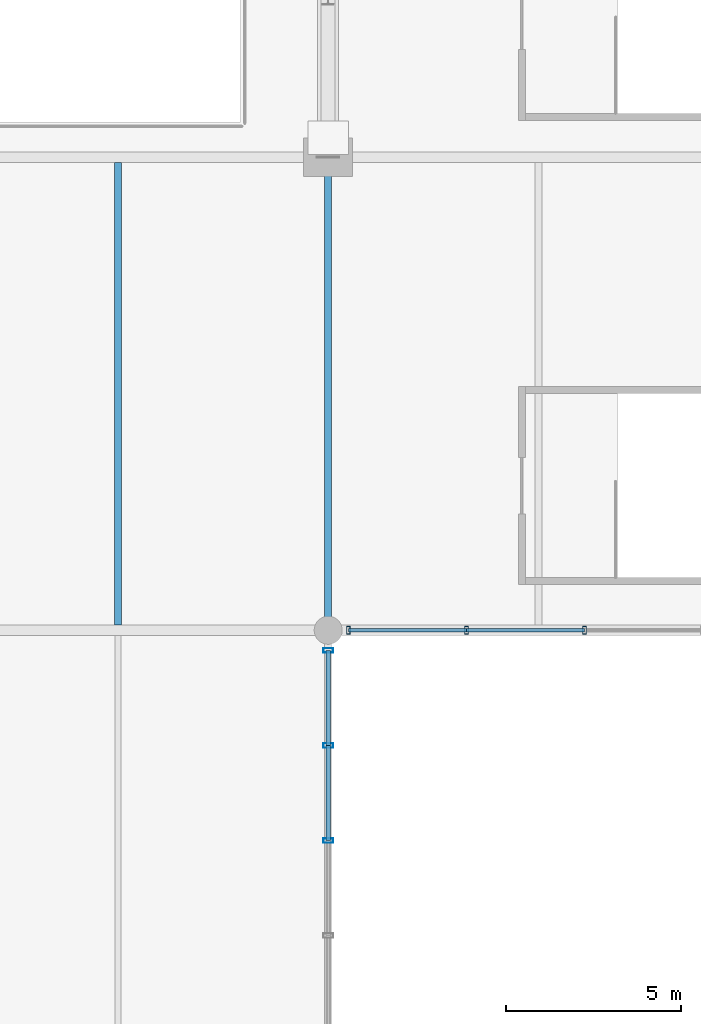
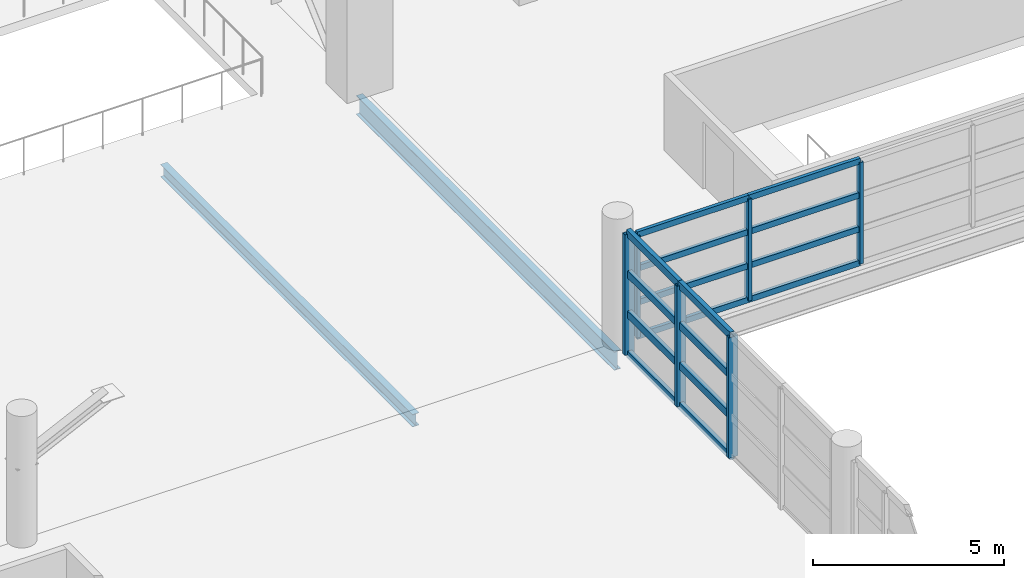
# One storey, part 21 of 136: 22 members, 2 beams, 2 elements without a shape of their own.
"""IFC4 building model written with IfcOpenShell, lengths in metres."""

from ifc_helpers import new_model, si_unit, direction, frame, origin, origin_2d, place, context, subcontext, project, spatial, hollow_rectangle, i_section, extrude, material, material_profile, profile_set, type_object, element, aggregate, save


model = new_model("IFC4")

# Units and contexts
model_context = context("Model", 3, precision=1e-05, world=origin(), true_north=direction((0.0, 1.0)))
body_context = subcontext(model_context, "Body", "Model", "MODEL_VIEW")
ifc_project = project(units=[si_unit("LENGTHUNIT", "METRE"), si_unit("AREAUNIT", "SQUARE_METRE"), si_unit("VOLUMEUNIT", "CUBIC_METRE"), si_unit("PLANEANGLEUNIT", "RADIAN"), si_unit("MASSUNIT", "GRAM", prefix="KILO")], contexts=[model_context])

# Site, building, storey
site_placement = place(None, origin())
site = spatial("IfcSite", under=ifc_project, at=site_placement, CompositionType="ELEMENT")
building_placement = place(site_placement, origin())
building = spatial("IfcBuilding", under=site, at=building_placement, Name="Chuanluo Vaults Station", CompositionType="ELEMENT")
storey_placement = place(building_placement, frame((0.0, 0.0, 6.60009765625)))
storey = spatial("IfcBuildingStorey", under=building, at=storey_placement, Name="L01", CompositionType="ELEMENT", Elevation=6.60009765625)

# Beams
ifc_material_1 = material(Name="Steel Q355C", Category="steel")
ifc_material_profile_1 = material_profile(ifc_material_1, i_section(OverallWidth=0.199951171875, OverallDepth=0.60009765625, WebThickness=0.010986328125, FlangeThickness=0.01708984375, FilletRadius=0.01806640625, at=origin_2d()))
ifc_profile_set_1 = profile_set([ifc_material_profile_1], Name="Steel Q355C")
beam_type_1 = type_object("IfcBeamType", Name="BM-GRD-600", PredefinedType="USERDEFINED", material=ifc_profile_set_1)
beam_1_placement = place(storey_placement, frame((90.0, 54.0, -0.580078125), z_axis=(0.0, 1.0, 0.0), x_axis=(-1.0, 0.0, 0.0)))
element("IfcBeam", 1, at=beam_1_placement, inside=storey, type_object=beam_type_1, Name="Floor girder BM:GY:L01:0444", ObjectType="GIRDER", PredefinedType="USERDEFINED", context=body_context, shape_type="SweptSolid", body=[
    extrude(i_section(OverallWidth=0.199951171875, OverallDepth=0.60009765625, WebThickness=0.010986328125, FlangeThickness=0.01708984375, FilletRadius=0.01806640625, at=origin_2d()), origin(), (0.0, 0.0, 1.0), 13.5),
])
ifc_material_2 = material(Name="Steel Q355C", Category="steel")
ifc_material_profile_2 = material_profile(ifc_material_2, i_section(OverallWidth=0.199951171875, OverallDepth=0.39990234375, WebThickness=0.008056640625, FlangeThickness=0.012939453125, FilletRadius=0.01611328125, at=origin_2d()))
ifc_profile_set_2 = profile_set([ifc_material_profile_2], Name="Steel Q355C")
beam_type_2 = type_object("IfcBeamType", Name="BM-SEC-400", PredefinedType="BEAM", material=ifc_profile_set_2)
beam_2_placement = place(storey_placement, frame((84.0, 54.155029296875, -0.47998046875), z_axis=(0.0, 1.0, 0.0), x_axis=(-1.0, 0.0, 0.0)))
element("IfcBeam", 2, at=beam_2_placement, inside=storey, type_object=beam_type_2, Name="Composite secondary joist 0131", PredefinedType="BEAM", context=body_context, shape_type="SweptSolid", body=[
    extrude(i_section(OverallWidth=0.199951171875, OverallDepth=0.39990234375, WebThickness=0.008056640625, FlangeThickness=0.012939453125, FilletRadius=0.01611328125, at=origin_2d()), origin(), (0.0, 0.0, 1.0), 13.18994140625),
])

# Curtain wall, members
ifc_material_3 = material(Name="Anodised aluminium 6063-T6", Category="aluminium")
curtain_wall_type_1 = type_object("IfcCurtainWallType", Name="CW-SYS-04", PredefinedType="NOTDEFINED", material=ifc_material_3)
curtain_wall_1_placement = place(storey_placement, origin())
curtain_wall_1 = element("IfcCurtainWall", 3, at=curtain_wall_1_placement, inside=storey, type_object=curtain_wall_type_1, Name="Over-track SE bridge CW", PredefinedType="NOTDEFINED")
ifc_material_4 = material(Name="Anodised aluminium 6063-T6", Category="aluminium")
ifc_material_profile_3 = material_profile(ifc_material_4, hollow_rectangle(XDim=0.10498046875, YDim=0.219970703125, WallThickness=0.006103515625, at=origin_2d()))
ifc_profile_set_3 = profile_set([ifc_material_profile_3], Name="Anodised aluminium 6063-T6")
member_type_1 = type_object("IfcMemberType", Name="CWM-140", PredefinedType="MULLION", material=ifc_profile_set_3)
member_1_placement = place(storey_placement, frame((97.31494140625, 54.0, 0.0), z_axis=(0.0, 0.0, 1.0), x_axis=(-1.0, 0.0, 0.0)))
member_1 = element("IfcMember", 4, at=member_1_placement, type_object=member_type_1, Name="Over-track SE bridge CW mullion 4", PredefinedType="MULLION", context=body_context, shape_type="SweptSolid", body=[
    extrude(hollow_rectangle(XDim=0.10498046875, YDim=0.219970703125, WallThickness=0.006103515625, at=origin_2d()), origin(), (0.0, 0.0, 1.0), 3.25),
])
member_2_placement = place(storey_placement, frame((93.945068359375, 54.0, 0.0), z_axis=(0.0, 0.0, 1.0), x_axis=(-1.0, 0.0, 0.0)))
member_2 = element("IfcMember", 5, at=member_2_placement, type_object=member_type_1, Name="Over-track SE bridge CW mullion 5", PredefinedType="MULLION", context=body_context, shape_type="SweptSolid", body=[
    extrude(hollow_rectangle(XDim=0.10498046875, YDim=0.219970703125, WallThickness=0.006103515625, at=origin_2d()), origin(), (0.0, 0.0, 1.0), 3.25),
])
member_3_placement = place(storey_placement, frame((90.574951171875, 54.0, 0.0), z_axis=(0.0, 0.0, 1.0), x_axis=(-1.0, 0.0, 0.0)))
member_3 = element("IfcMember", 6, at=member_3_placement, type_object=member_type_1, Name="Over-track SE bridge CW mullion 6", PredefinedType="MULLION", context=body_context, shape_type="SweptSolid", body=[
    extrude(hollow_rectangle(XDim=0.10498046875, YDim=0.219970703125, WallThickness=0.006103515625, at=origin_2d()), origin(), (0.0, 0.0, 1.0), 3.25),
])

ifc_material_5 = material(Name="Anodised aluminium 6063-T6", Category="aluminium")
curtain_wall_type_2 = type_object("IfcCurtainWallType", Name="CW-SYS-10", PredefinedType="NOTDEFINED", material=ifc_material_5)
curtain_wall_2_placement = place(storey_placement, origin())
curtain_wall_2 = element("IfcCurtainWall", 7, at=curtain_wall_2_placement, inside=storey, type_object=curtain_wall_type_2, Name="Concourse east curtain wall 42", PredefinedType="NOTDEFINED")
ifc_material_6 = material(Name="Anodised aluminium 6063-T6", Category="aluminium")
ifc_material_profile_4 = material_profile(ifc_material_6, hollow_rectangle(XDim=0.1298828125, YDim=0.280029296875, WallThickness=0.007080078125, at=origin_2d()))
ifc_profile_set_4 = profile_set([ifc_material_profile_4], Name="Anodised aluminium 6063-T6")
member_type_2 = type_object("IfcMemberType", Name="CWM-180", PredefinedType="MULLION", material=ifc_profile_set_4)
member_4_placement = place(storey_placement, frame((90.0, 53.425048828125, 0.0), z_axis=(0.0, 0.0, 1.0), x_axis=(0.0, -1.0, 0.0)))
member_4 = element("IfcMember", 8, at=member_4_placement, type_object=member_type_2, Name="Concourse east curtain wall 42 mullion 1", PredefinedType="MULLION", context=body_context, shape_type="SweptSolid", body=[
    extrude(hollow_rectangle(XDim=0.1298828125, YDim=0.280029296875, WallThickness=0.007080078125, at=origin_2d()), origin(), (0.0, 0.0, 1.0), 3.849853515625),
])
member_5_placement = place(storey_placement, frame((90.0, 50.71240234375, 0.0), z_axis=(0.0, 0.0, 1.0), x_axis=(0.0, -1.0, 0.0)))
member_5 = element("IfcMember", 9, at=member_5_placement, type_object=member_type_2, Name="Concourse east curtain wall 42 mullion 2", PredefinedType="MULLION", context=body_context, shape_type="SweptSolid", body=[
    extrude(hollow_rectangle(XDim=0.1298828125, YDim=0.280029296875, WallThickness=0.007080078125, at=origin_2d()), origin(), (0.0, 0.0, 1.0), 3.849853515625),
])
member_6_placement = place(storey_placement, frame((90.0, 48.0, 0.0), z_axis=(0.0, 0.0, 1.0), x_axis=(0.0, -1.0, 0.0)))
member_6 = element("IfcMember", 10, at=member_6_placement, type_object=member_type_2, Name="Concourse east curtain wall 42 mullion 3", PredefinedType="MULLION", context=body_context, shape_type="SweptSolid", body=[
    extrude(hollow_rectangle(XDim=0.1298828125, YDim=0.280029296875, WallThickness=0.007080078125, at=origin_2d()), origin(), (0.0, 0.0, 1.0), 3.849853515625),
])

# Member
ifc_material_7 = material(Name="Anodised aluminium 6063-T6", Category="aluminium")
ifc_material_profile_5 = material_profile(ifc_material_7, hollow_rectangle(XDim=0.10498046875, YDim=0.18505859375, WallThickness=0.0048828125, at=origin_2d()))
ifc_profile_set_5 = profile_set([ifc_material_profile_5], Name="Anodised aluminium 6063-T6")
member_type_3 = type_object("IfcMemberType", Name="CWT-110", PredefinedType="USERDEFINED", material=ifc_profile_set_5)
member_7_placement = place(storey_placement, frame((97.31494140625, 54.0, 0.0), z_axis=(-1.0, 0.0, 0.0), x_axis=(0.0, -1.0, 0.0)))
member_7 = element("IfcMember", 11, at=member_7_placement, type_object=member_type_3, Name="Over-track SE bridge CW transom 4.1", ObjectType="TRANSOM", PredefinedType="USERDEFINED", context=body_context, shape_type="SweptSolid", body=[
    extrude(hollow_rectangle(XDim=0.10498046875, YDim=0.18505859375, WallThickness=0.0048828125, at=origin_2d()), origin(), (0.0, 0.0, 1.0), 3.369873046875),
])

member_8_placement = place(storey_placement, frame((97.31494140625, 54.0, 1.083251953125), z_axis=(-1.0, 0.0, 0.0), x_axis=(0.0, -1.0, 0.0)))
member_8 = element("IfcMember", 12, at=member_8_placement, type_object=member_type_3, Name="Over-track SE bridge CW transom 4.2", ObjectType="TRANSOM", PredefinedType="USERDEFINED", context=body_context, shape_type="SweptSolid", body=[
    extrude(hollow_rectangle(XDim=0.10498046875, YDim=0.18505859375, WallThickness=0.0048828125, at=origin_2d()), origin(), (0.0, 0.0, 1.0), 3.369873046875),
])

member_9_placement = place(storey_placement, frame((97.31494140625, 54.0, 2.16650390625), z_axis=(-1.0, 0.0, 0.0), x_axis=(0.0, -1.0, 0.0)))
member_9 = element("IfcMember", 13, at=member_9_placement, type_object=member_type_3, Name="Over-track SE bridge CW transom 4.3", ObjectType="TRANSOM", PredefinedType="USERDEFINED", context=body_context, shape_type="SweptSolid", body=[
    extrude(hollow_rectangle(XDim=0.10498046875, YDim=0.18505859375, WallThickness=0.0048828125, at=origin_2d()), origin(), (0.0, 0.0, 1.0), 3.369873046875),
])

member_10_placement = place(storey_placement, frame((97.31494140625, 54.0, 3.25), z_axis=(-1.0, 0.0, 0.0), x_axis=(0.0, -1.0, 0.0)))
member_10 = element("IfcMember", 14, at=member_10_placement, type_object=member_type_3, Name="Over-track SE bridge CW transom 4.4", ObjectType="TRANSOM", PredefinedType="USERDEFINED", context=body_context, shape_type="SweptSolid", body=[
    extrude(hollow_rectangle(XDim=0.10498046875, YDim=0.18505859375, WallThickness=0.0048828125, at=origin_2d()), origin(), (0.0, 0.0, 1.0), 3.369873046875),
])

member_11_placement = place(storey_placement, frame((93.945068359375, 54.0, 0.0), z_axis=(-1.0, 0.0, 0.0), x_axis=(0.0, -1.0, 0.0)))
member_11 = element("IfcMember", 15, at=member_11_placement, type_object=member_type_3, Name="Over-track SE bridge CW transom 5.1", ObjectType="TRANSOM", PredefinedType="USERDEFINED", context=body_context, shape_type="SweptSolid", body=[
    extrude(hollow_rectangle(XDim=0.10498046875, YDim=0.18505859375, WallThickness=0.0048828125, at=origin_2d()), origin(), (0.0, 0.0, 1.0), 3.3701171875),
])

member_12_placement = place(storey_placement, frame((93.945068359375, 54.0, 1.083251953125), z_axis=(-1.0, 0.0, 0.0), x_axis=(0.0, -1.0, 0.0)))
member_12 = element("IfcMember", 16, at=member_12_placement, type_object=member_type_3, Name="Over-track SE bridge CW transom 5.2", ObjectType="TRANSOM", PredefinedType="USERDEFINED", context=body_context, shape_type="SweptSolid", body=[
    extrude(hollow_rectangle(XDim=0.10498046875, YDim=0.18505859375, WallThickness=0.0048828125, at=origin_2d()), origin(), (0.0, 0.0, 1.0), 3.3701171875),
])

member_13_placement = place(storey_placement, frame((93.945068359375, 54.0, 2.16650390625), z_axis=(-1.0, 0.0, 0.0), x_axis=(0.0, -1.0, 0.0)))
member_13 = element("IfcMember", 17, at=member_13_placement, type_object=member_type_3, Name="Over-track SE bridge CW transom 5.3", ObjectType="TRANSOM", PredefinedType="USERDEFINED", context=body_context, shape_type="SweptSolid", body=[
    extrude(hollow_rectangle(XDim=0.10498046875, YDim=0.18505859375, WallThickness=0.0048828125, at=origin_2d()), origin(), (0.0, 0.0, 1.0), 3.3701171875),
])

member_14_placement = place(storey_placement, frame((93.945068359375, 54.0, 3.25), z_axis=(-1.0, 0.0, 0.0), x_axis=(0.0, -1.0, 0.0)))
member_14 = element("IfcMember", 18, at=member_14_placement, type_object=member_type_3, Name="Over-track SE bridge CW transom 5.4", ObjectType="TRANSOM", PredefinedType="USERDEFINED", context=body_context, shape_type="SweptSolid", body=[
    extrude(hollow_rectangle(XDim=0.10498046875, YDim=0.18505859375, WallThickness=0.0048828125, at=origin_2d()), origin(), (0.0, 0.0, 1.0), 3.3701171875),
])

aggregate(curtain_wall_1, [member_1, member_2, member_3, member_7, member_8, member_9, member_10, member_11, member_12, member_13, member_14])

ifc_material_8 = material(Name="Anodised aluminium 6063-T6", Category="aluminium")
ifc_material_profile_6 = material_profile(ifc_material_8, hollow_rectangle(XDim=0.1298828125, YDim=0.22998046875, WallThickness=0.006103515625, at=origin_2d()))
ifc_profile_set_6 = profile_set([ifc_material_profile_6], Name="Anodised aluminium 6063-T6")
member_type_4 = type_object("IfcMemberType", Name="CWT-150", PredefinedType="USERDEFINED", material=ifc_profile_set_6)
member_15_placement = place(storey_placement, frame((90.0, 53.425048828125, 0.0), z_axis=(0.0, -1.0, 0.0), x_axis=(1.0, 0.0, 0.0)))
member_15 = element("IfcMember", 19, at=member_15_placement, type_object=member_type_4, Name="Concourse east curtain wall 42 transom 1.1", ObjectType="TRANSOM", PredefinedType="USERDEFINED", context=body_context, shape_type="SweptSolid", body=[
    extrude(hollow_rectangle(XDim=0.1298828125, YDim=0.22998046875, WallThickness=0.006103515625, at=origin_2d()), origin(), (0.0, 0.0, 1.0), 2.712646484375),
])

member_16_placement = place(storey_placement, frame((90.0, 53.425048828125, 1.283203125), z_axis=(0.0, -1.0, 0.0), x_axis=(1.0, 0.0, 0.0)))
member_16 = element("IfcMember", 20, at=member_16_placement, type_object=member_type_4, Name="Concourse east curtain wall 42 transom 1.2", ObjectType="TRANSOM", PredefinedType="USERDEFINED", context=body_context, shape_type="SweptSolid", body=[
    extrude(hollow_rectangle(XDim=0.1298828125, YDim=0.22998046875, WallThickness=0.006103515625, at=origin_2d()), origin(), (0.0, 0.0, 1.0), 2.712646484375),
])

member_17_placement = place(storey_placement, frame((90.0, 53.425048828125, 2.566650390625), z_axis=(0.0, -1.0, 0.0), x_axis=(1.0, 0.0, 0.0)))
member_17 = element("IfcMember", 21, at=member_17_placement, type_object=member_type_4, Name="Concourse east curtain wall 42 transom 1.3", ObjectType="TRANSOM", PredefinedType="USERDEFINED", context=body_context, shape_type="SweptSolid", body=[
    extrude(hollow_rectangle(XDim=0.1298828125, YDim=0.22998046875, WallThickness=0.006103515625, at=origin_2d()), origin(), (0.0, 0.0, 1.0), 2.712646484375),
])

member_18_placement = place(storey_placement, frame((90.0, 53.425048828125, 3.849853515625), z_axis=(0.0, -1.0, 0.0), x_axis=(1.0, 0.0, 0.0)))
member_18 = element("IfcMember", 22, at=member_18_placement, type_object=member_type_4, Name="Concourse east curtain wall 42 transom 1.4", ObjectType="TRANSOM", PredefinedType="USERDEFINED", context=body_context, shape_type="SweptSolid", body=[
    extrude(hollow_rectangle(XDim=0.1298828125, YDim=0.22998046875, WallThickness=0.006103515625, at=origin_2d()), origin(), (0.0, 0.0, 1.0), 2.712646484375),
])

member_19_placement = place(storey_placement, frame((90.0, 50.71240234375, 0.0), z_axis=(0.0, -1.0, 0.0), x_axis=(1.0, 0.0, 0.0)))
member_19 = element("IfcMember", 23, at=member_19_placement, type_object=member_type_4, Name="Concourse east curtain wall 42 transom 2.1", ObjectType="TRANSOM", PredefinedType="USERDEFINED", context=body_context, shape_type="SweptSolid", body=[
    extrude(hollow_rectangle(XDim=0.1298828125, YDim=0.22998046875, WallThickness=0.006103515625, at=origin_2d()), origin(), (0.0, 0.0, 1.0), 2.71240234375),
])

member_20_placement = place(storey_placement, frame((90.0, 50.71240234375, 1.283203125), z_axis=(0.0, -1.0, 0.0), x_axis=(1.0, 0.0, 0.0)))
member_20 = element("IfcMember", 24, at=member_20_placement, type_object=member_type_4, Name="Concourse east curtain wall 42 transom 2.2", ObjectType="TRANSOM", PredefinedType="USERDEFINED", context=body_context, shape_type="SweptSolid", body=[
    extrude(hollow_rectangle(XDim=0.1298828125, YDim=0.22998046875, WallThickness=0.006103515625, at=origin_2d()), origin(), (0.0, 0.0, 1.0), 2.71240234375),
])

member_21_placement = place(storey_placement, frame((90.0, 50.71240234375, 2.566650390625), z_axis=(0.0, -1.0, 0.0), x_axis=(1.0, 0.0, 0.0)))
member_21 = element("IfcMember", 25, at=member_21_placement, type_object=member_type_4, Name="Concourse east curtain wall 42 transom 2.3", ObjectType="TRANSOM", PredefinedType="USERDEFINED", context=body_context, shape_type="SweptSolid", body=[
    extrude(hollow_rectangle(XDim=0.1298828125, YDim=0.22998046875, WallThickness=0.006103515625, at=origin_2d()), origin(), (0.0, 0.0, 1.0), 2.71240234375),
])

member_22_placement = place(storey_placement, frame((90.0, 50.71240234375, 3.849853515625), z_axis=(0.0, -1.0, 0.0), x_axis=(1.0, 0.0, 0.0)))
member_22 = element("IfcMember", 26, at=member_22_placement, type_object=member_type_4, Name="Concourse east curtain wall 42 transom 2.4", ObjectType="TRANSOM", PredefinedType="USERDEFINED", context=body_context, shape_type="SweptSolid", body=[
    extrude(hollow_rectangle(XDim=0.1298828125, YDim=0.22998046875, WallThickness=0.006103515625, at=origin_2d()), origin(), (0.0, 0.0, 1.0), 2.71240234375),
])

aggregate(curtain_wall_2, [member_4, member_5, member_6, member_15, member_16, member_17, member_18, member_19, member_20, member_21, member_22])

save(model, "model.ifc")
